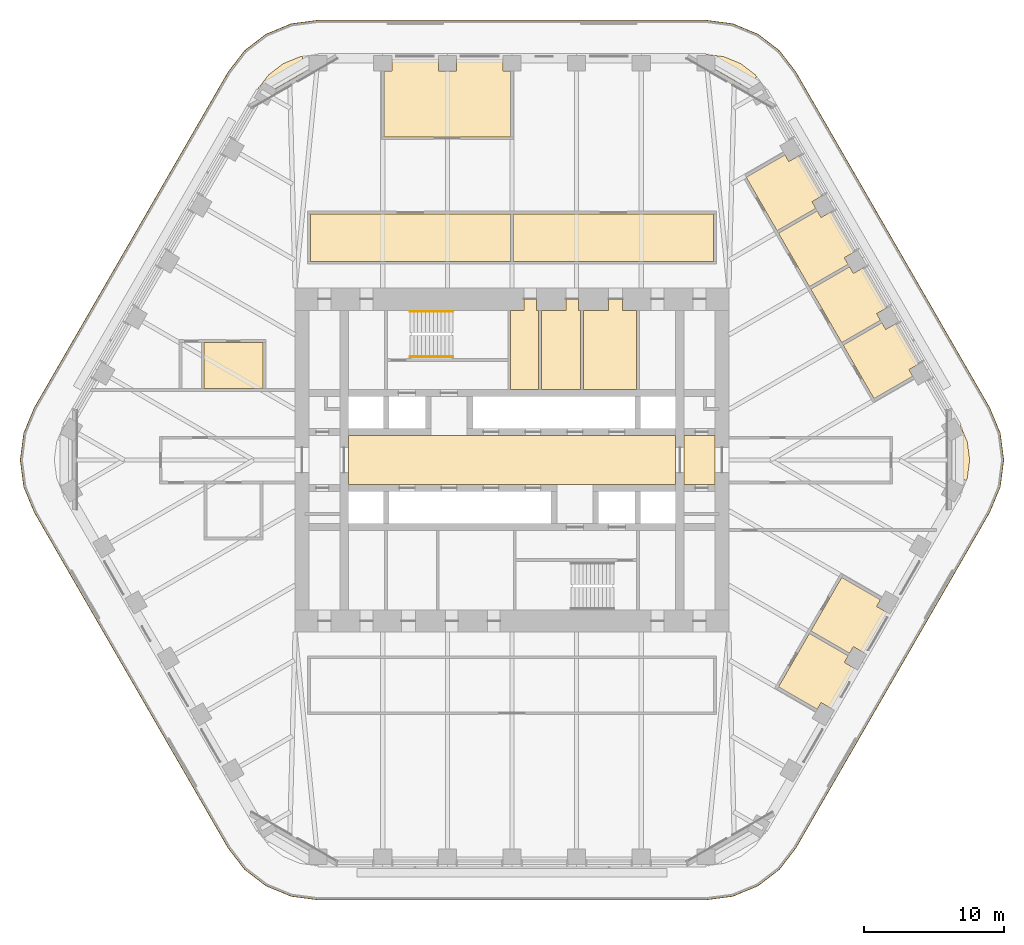
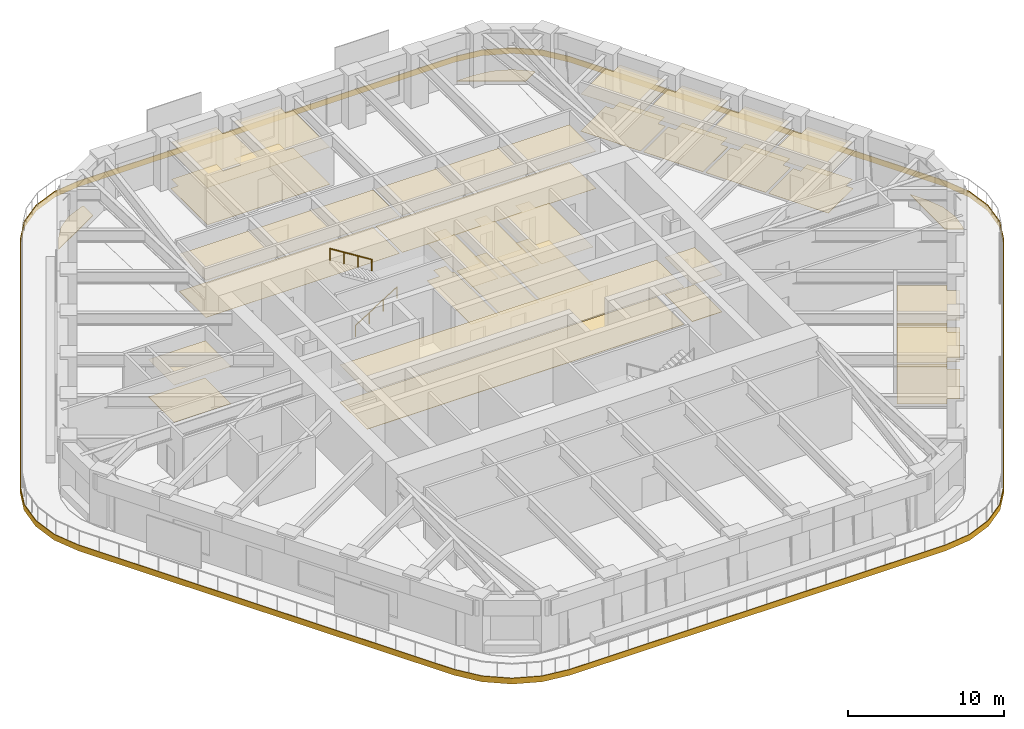
# One storey, part 19 of 20: 16 coverings, 2 railings.
"""IFC4 building model written with IfcOpenShell, lengths in metres."""

import ifcopenshell
import ifcopenshell.guid

model = None  # the IFC model being written
_history = None  # IfcOwnerHistory: only IFC2X3 demands one
_inside = {}  # id of a spatial element -> (the spatial element, [elements in it])
_under = {}  # id of a project, library or spatial element -> (it, [spatial elements below it])
_declared = {}  # id of a project -> (the project, [libraries it declares])
_typed = {}  # id of a type object -> (the type object, [elements of that type])
_made_of = {}  # id of a material, layer set ... -> (it, [elements and type objects made of it])


def new_model(schema):
    """Start an empty IFC model of exactly this schema.

    Asked for "IFC4X3", IfcOpenShell would pick the latest addendum, in which some entities
    have other attributes; the version numbers below select the first issue.
    IFC2X3 requires an IfcOwnerHistory on every rooted entity: one is made here for all.
    """
    global model, _history
    if schema == "IFC4X3":
        model = ifcopenshell.file(schema_version=(4, 3, 0, 0))
    else:
        model = ifcopenshell.file(schema=schema)
    _inside.clear()
    _under.clear()
    _declared.clear()
    _typed.clear()
    _made_of.clear()
    _history = None
    if model.schema == "IFC2X3":
        org = make("IfcOrganization", Name="unknown")
        user = make(
            "IfcPersonAndOrganization",
            ThePerson=make("IfcPerson", FamilyName="unknown"),
            TheOrganization=org,
        )
        app = make(
            "IfcApplication",
            ApplicationDeveloper=org,
            Version="unknown",
            ApplicationFullName="unknown",
            ApplicationIdentifier="unknown",
        )
        _history = make(
            "IfcOwnerHistory",
            OwningUser=user,
            OwningApplication=app,
            ChangeAction="ADDED",
            CreationDate=0,
        )
    return model


def make(cls, **values):
    """One entity of the class cls with the attributes given. An attribute that is None is left unset."""
    return model.create_entity(
        cls, **{name: value for name, value in values.items() if value is not None}
    )


def rooted(cls, **values):
    """An entity with a GlobalId (a new one), such as an element, a storey or a relation."""
    return make(cls, GlobalId=ifcopenshell.guid.new(), OwnerHistory=_history, **values)


def si_unit(unit_type, name, prefix=None):
    """IfcSIUnit, for example si_unit("LENGTHUNIT", "METRE", prefix="MILLI")."""
    return make("IfcSIUnit", UnitType=unit_type, Prefix=prefix, Name=name)


def assignment(units):
    """IfcUnitAssignment: the units of a project."""
    return None if units is None else make("IfcUnitAssignment", Units=units)


def point(xyz):
    """IfcCartesianPoint."""
    return None if xyz is None else make("IfcCartesianPoint", Coordinates=xyz)


def direction(xyz):
    """IfcDirection."""
    return None if xyz is None else make("IfcDirection", DirectionRatios=xyz)


def frame(location, z_axis=None, x_axis=None):
    """IfcAxis2Placement3D, a coordinate frame: its origin and axes. An axis left out is left unset."""
    return make(
        "IfcAxis2Placement3D",
        Location=point(location),
        Axis=direction(z_axis),
        RefDirection=direction(x_axis),
    )


def frame_2d(location, x_axis=None):
    """IfcAxis2Placement2D, a coordinate frame in the plane: its origin and x axis."""
    return make(
        "IfcAxis2Placement2D", Location=point(location), RefDirection=direction(x_axis)
    )


def origin():
    """The frame at (0, 0, 0) with its axes left unset."""
    return frame((0.0, 0.0, 0.0))


def origin_2d():
    """The frame at (0, 0) in the plane with its x axis left unset."""
    return frame_2d((0.0, 0.0))


def place(relative_to, where):
    """IfcLocalPlacement: puts the frame where relative to a parent placement (None: the world)."""
    return make(
        "IfcLocalPlacement", PlacementRelTo=relative_to, RelativePlacement=where
    )


def context(
    kind, dimensions, precision=None, world=None, true_north=None, identifier=None
):
    """IfcGeometricRepresentationContext, for example the 3D "Model" context."""
    return make(
        "IfcGeometricRepresentationContext",
        ContextIdentifier=identifier,
        ContextType=kind,
        CoordinateSpaceDimension=dimensions,
        Precision=precision,
        WorldCoordinateSystem=world,
        TrueNorth=true_north,
    )


def subcontext(parent, identifier, kind, view, scale=None):
    """IfcGeometricRepresentationSubContext, for example "Body" below "Model"."""
    return make(
        "IfcGeometricRepresentationSubContext",
        ContextIdentifier=identifier,
        ContextType=kind,
        ParentContext=parent,
        TargetScale=scale,
        TargetView=view,
    )


def project(units=None, contexts=None):
    """IfcProject with its units and contexts."""
    return rooted(
        "IfcProject",
        Name="project",
        RepresentationContexts=contexts,
        UnitsInContext=assignment(units),
    )


def spatial(cls, under=None, at=None, **own):
    """A site, building, storey or space (cls), placed at a placement, below another one or the project."""
    s = rooted(cls, ObjectPlacement=at, **own)
    if under is not None:
        _under.setdefault(under.id(), (under, []))[1].append(s)
    return s


def polyline(points):
    """IfcPolyline through the points."""
    return make("IfcPolyline", Points=[point(p) for p in points])


def profile(cls, at=None, kind="AREA", **sizes):
    """A parametric profile (cls). Its sizes go by their IFC names, for example OverallWidth=200.0."""
    return make(cls, ProfileType=kind, Position=at, **sizes)


def circle(**sizes):
    """IfcCircleProfileDef."""
    return profile("IfcCircleProfileDef", **sizes)


def outline(outer, holes=None, kind="AREA"):
    """IfcArbitraryClosedProfileDef: a profile drawn as a closed curve; with holes, ...WithVoids."""
    if holes is None:
        return make("IfcArbitraryClosedProfileDef", ProfileType=kind, OuterCurve=outer)
    return make(
        "IfcArbitraryProfileDefWithVoids",
        ProfileType=kind,
        OuterCurve=outer,
        InnerCurves=holes,
    )


def extrude(swept, where, along, depth):
    """IfcExtrudedAreaSolid: the profile swept, set in the frame where, extruded along a direction by depth."""
    return make(
        "IfcExtrudedAreaSolid",
        SweptArea=swept,
        Position=where,
        ExtrudedDirection=direction(along),
        Depth=depth,
    )


def shape(context_of_items, identifier, shape_type, items):
    """IfcShapeRepresentation: the items that make up one representation, for example the "Body"."""
    return make(
        "IfcShapeRepresentation",
        ContextOfItems=context_of_items,
        RepresentationIdentifier=identifier,
        RepresentationType=shape_type,
        Items=items,
    )


def material(Name=None, Category=None):
    """IfcMaterial."""
    return make("IfcMaterial", Name=Name, Category=Category)


def layer(
    of_material, thickness, ventilated=None, Name=None, Category=None, Priority=None
):
    """IfcMaterialLayer: one layer of a wall or slab, of a material (None: an air gap)."""
    return make(
        "IfcMaterialLayer",
        Material=of_material,
        LayerThickness=thickness,
        IsVentilated=ventilated,
        Name=Name,
        Category=Category,
        Priority=Priority,
    )


def layer_set(layers, Name=None):
    """IfcMaterialLayerSet."""
    return make("IfcMaterialLayerSet", MaterialLayers=layers, LayerSetName=Name)


def made_of(thing, what):
    """Note that an element or type object is made of a material, layer set ...; save() writes the relation."""
    if what is not None:
        _made_of.setdefault(what.id(), (what, []))[1].append(thing)
    return thing


def type_object(cls, material=None, **own):
    """A type object (cls), such as IfcWallType, which elements share."""
    return made_of(rooted(cls, **own), material)


def element(
    cls,
    number,
    at=None,
    inside=None,
    cuts=None,
    type_object=None,
    material=None,
    context=None,
    identifier="Body",
    shape_type=None,
    held_by="IfcProductDefinitionShape",
    body=None,
    shapes=None,
    **own,
):
    """One element of the class cls, such as IfcWall. Its Tag is "e" and its number.

    at: its placement. inside: the storey or other place that contains it. cuts: it is an
    opening in that element (IfcRelVoidsElement). A single representation is given by context,
    identifier, shape_type and body (its items); several are given by shapes. held_by: the class
    of the entity that holds the representations. save() writes the other relations.
    """
    e = rooted(cls, Tag="e%d" % number, ObjectPlacement=at, **own)
    if body is not None:
        shapes = [shape(context, identifier, shape_type, body)]
    if shapes is not None:
        e.Representation = make(held_by, Representations=shapes)
    if inside is not None:
        _inside.setdefault(inside.id(), (inside, []))[1].append(e)
    if cuts is not None:
        rooted(
            "IfcRelVoidsElement", RelatingBuildingElement=cuts, RelatedOpeningElement=e
        )
    if type_object is not None:
        _typed.setdefault(type_object.id(), (type_object, []))[1].append(e)
    return made_of(e, material)


def aggregate(whole, parts):
    """IfcRelAggregates: a whole, such as a stair, and the parts it consists of."""
    return rooted("IfcRelAggregates", RelatingObject=whole, RelatedObjects=parts)


def save(model, path):
    """Write the relations noted so far, then the file.

    IfcRelAggregates (storeys below a building ...), IfcRelContainedInSpatialStructure (elements
    in a storey), IfcRelDefinesByType, IfcRelAssociatesMaterial and IfcRelDeclares: one each for
    every whole, place, type object, material and project.
    """
    for whole, parts in _under.values():
        aggregate(whole, parts)
    for where, things in _inside.values():
        rooted(
            "IfcRelContainedInSpatialStructure",
            RelatedElements=things,
            RelatingStructure=where,
        )
    for kind, things in _typed.values():
        rooted("IfcRelDefinesByType", RelatedObjects=things, RelatingType=kind)
    for what, things in _made_of.values():
        rooted("IfcRelAssociatesMaterial", RelatedObjects=things, RelatingMaterial=what)
    for by, libraries in _declared.values():
        rooted("IfcRelDeclares", RelatingContext=by, RelatedDefinitions=libraries)
    model.write(path)


model = new_model("IFC4")

# Units and contexts
model_context = context("Model", 3, precision=1e-05, world=origin(), true_north=direction((0.0, 1.0)))
body_context = subcontext(model_context, "Body", "Model", "MODEL_VIEW")
ifc_project = project(units=[si_unit("LENGTHUNIT", "METRE"), si_unit("AREAUNIT", "SQUARE_METRE"), si_unit("VOLUMEUNIT", "CUBIC_METRE"), si_unit("PLANEANGLEUNIT", "RADIAN"), si_unit("MASSUNIT", "GRAM", prefix="KILO")], contexts=[model_context])

# Site, building, storey
site_placement = place(None, origin())
site = spatial("IfcSite", under=ifc_project, at=site_placement, CompositionType="ELEMENT")
building_placement = place(site_placement, origin())
building = spatial("IfcBuilding", under=site, at=building_placement, Name="Tarfa Lantern Tower", CompositionType="ELEMENT")
storey_placement = place(building_placement, frame((0.0, 0.0, 236.5)))
storey = spatial("IfcBuildingStorey", under=building, at=storey_placement, Name="L53", CompositionType="ELEMENT", Elevation=236.5)

# Coverings
ifc_material_1 = material(Name="Mineral fibre acoustic tile on suspension grid", Category="finish")
ifc_layer_1 = layer(ifc_material_1, 0.02001953125)
ifc_layer_set_1 = layer_set([ifc_layer_1], Name="CL1 ACOUSTIC TILE CEILING 20")
covering_type_1 = type_object("IfcCoveringType", Name="CL1 ACOUSTIC TILE CEILING 20", PredefinedType="CEILING", material=ifc_layer_set_1)
covering_1_placement = place(storey_placement, frame((0.0, 0.0, 2.89990234375)))
element("IfcCovering", 1, at=covering_1_placement, inside=storey, type_object=covering_type_1, Name="Ceiling L53 CL1", PredefinedType="CEILING", context=body_context, shape_type="SweptSolid", body=[
    extrude(outline(polyline([(-14.39990234375, 17.60009765625), (-0.10009765625, 17.60009765625), (-0.10009765625, 14.199951171875), (-14.39990234375, 14.199951171875), (-14.39990234375, 17.60009765625)])), origin(), (0.0, 0.0, 1.0), 0.02001953125),
    extrude(outline(polyline([(0.10009765625, 17.60009765625), (14.39990234375, 17.60009765625), (14.39990234375, 14.199951171875), (0.10009765625, 14.199951171875), (0.10009765625, 17.60009765625)])), origin(), (0.0, 0.0, 1.0), 0.02001953125),
    extrude(outline(polyline([(-0.10009765625, 23.10009765625), (-9.1376953125, 23.10009765625), (-9.1376953125, 27.800048828125), (-8.587646484375, 27.800048828125), (-8.587646484375, 28.64990234375), (-5.268798828125, 28.64990234375), (-5.268798828125, 27.800048828125), (-3.96875, 27.800048828125), (-3.96875, 28.64990234375), (-0.64990234375, 28.64990234375), (-0.64990234375, 27.800048828125), (-0.10009765625, 27.800048828125), (-0.10009765625, 23.10009765625)])), origin(), (0.0, 0.0, 1.0), 0.02001953125),
    extrude(outline(polyline([(23.66357421875, 8.21337890625), (26.434814453125, 9.8134765625), (26.7099609375, 9.337158203125), (27.446044921875, 9.761962890625), (29.10546875, 6.887939453125), (28.369384765625, 6.462890625), (28.644287109375, 5.986572265625), (25.873046875, 4.38671875), (23.66357421875, 8.21337890625)])), origin(), (0.0, 0.0, 1.0), 0.02001953125),
    extrude(outline(polyline([(21.354248046875, 12.21337890625), (24.12548828125, 13.8134765625), (24.400390625, 13.337158203125), (25.13671875, 13.761962890625), (26.796142578125, 10.887939453125), (26.059814453125, 10.462890625), (26.3349609375, 9.986572265625), (23.563720703125, 8.38671875), (21.354248046875, 12.21337890625)])), origin(), (0.0, 0.0, 1.0), 0.02001953125),
    extrude(outline(polyline([(19.044921875, 16.21337890625), (21.816162109375, 17.8134765625), (22.091064453125, 17.337158203125), (22.8271484375, 17.761962890625), (24.486572265625, 14.887939453125), (23.75048828125, 14.462890625), (24.025390625, 13.986572265625), (21.254150390625, 12.38671875), (19.044921875, 16.21337890625)])), origin(), (0.0, 0.0, 1.0), 0.02001953125),
    extrude(outline(polyline([(16.7353515625, 20.21337890625), (19.506591796875, 21.8134765625), (19.78173828125, 21.337158203125), (20.517822265625, 21.761962890625), (22.17724609375, 18.887939453125), (21.441162109375, 18.462890625), (21.716064453125, 17.986572265625), (18.94482421875, 16.38671875), (16.7353515625, 20.21337890625)])), origin(), (0.0, 0.0, 1.0), 0.02001953125),
    extrude(outline(polyline([(21.254150390625, -12.38671875), (24.025390625, -13.986572265625), (23.75048828125, -14.462890625), (24.486572265625, -14.887939453125), (22.8271484375, -17.761962890625), (22.091064453125, -17.337158203125), (21.816162109375, -17.8134765625), (19.044921875, -16.21337890625), (21.254150390625, -12.38671875)])), origin(), (0.0, 0.0, 1.0), 0.02001953125),
    extrude(outline(polyline([(23.563720703125, -8.38671875), (26.3349609375, -9.986572265625), (26.059814453125, -10.462890625), (26.796142578125, -10.887939453125), (25.13671875, -13.761962890625), (24.400390625, -13.337158203125), (24.12548828125, -13.8134765625), (21.354248046875, -12.21337890625), (23.563720703125, -8.38671875)])), origin(), (0.0, 0.0, 1.0), 0.02001953125),
    extrude(outline(polyline([(-21.995849609375, 8.39990234375), (-17.7958984375, 8.39990234375), (-17.7958984375, 5.10009765625), (-21.995849609375, 5.10009765625), (-21.995849609375, 8.39990234375)])), origin(), (0.0, 0.0, 1.0), 0.02001953125),
])
ifc_material_2 = material(Name="Moisture-resistant plasterboard", Category="finish")
ifc_layer_2 = layer(ifc_material_2, 0.014892578125)
ifc_layer_set_2 = layer_set([ifc_layer_2], Name="CL2 MOISTURE-RESISTANT PLASTERBOARD CEILING 15")
covering_type_2 = type_object("IfcCoveringType", Name="CL2 MOISTURE-RESISTANT PLASTERBOARD CEILING 15", PredefinedType="CEILING", material=ifc_layer_set_2)
covering_2_placement = place(storey_placement, frame((0.0, 0.0, 2.89990234375)))
element("IfcCovering", 2, at=covering_2_placement, inside=storey, type_object=covering_type_2, Name="Ceiling L53-07", PredefinedType="CEILING", context=body_context, shape_type="SweptSolid", body=[
    extrude(outline(polyline([(0.85009765625, 10.699951171875), (-0.10009765625, 10.699951171875), (-0.10009765625, 5.050048828125), (1.89990234375, 5.050048828125), (1.89990234375, 10.699951171875), (1.75, 10.699951171875), (1.75, 11.5), (1.75, 11.5), (0.85009765625, 11.5), (0.85009765625, 10.699951171875)])), origin(), (0.0, 0.0, 1.0), 0.01513671875),
])
covering_3_placement = place(storey_placement, frame((0.0, 0.0, 2.89990234375)))
element("IfcCovering", 3, at=covering_3_placement, inside=storey, type_object=covering_type_2, Name="Ceiling L53-08", PredefinedType="CEILING", context=body_context, shape_type="SweptSolid", body=[
    extrude(outline(polyline([(2.10009765625, 5.050048828125), (4.89990234375, 5.050048828125), (4.89990234375, 10.699951171875), (4.75, 10.699951171875), (4.75, 11.5), (3.85009765625, 11.5), (3.85009765625, 10.699951171875), (2.10009765625, 10.699951171875), (2.10009765625, 5.050048828125)])), origin(), (0.0, 0.0, 1.0), 0.01513671875),
])
covering_4_placement = place(storey_placement, frame((0.0, 0.0, 2.89990234375)))
element("IfcCovering", 4, at=covering_4_placement, inside=storey, type_object=covering_type_2, Name="Ceiling L53-09", PredefinedType="CEILING", context=body_context, shape_type="SweptSolid", body=[
    extrude(outline(polyline([(5.10009765625, 5.050048828125), (8.89990234375, 5.050048828125), (8.89990234375, 10.699951171875), (7.89990234375, 10.699951171875), (7.89990234375, 11.5), (6.89990234375, 11.5), (6.89990234375, 10.699951171875), (5.10009765625, 10.699951171875), (5.10009765625, 5.050048828125)])), origin(), (0.0, 0.0, 1.0), 0.01513671875),
])
ifc_material_3 = material(Name="Powder-coated aluminium panel", Category="aluminium")
ifc_layer_3 = layer(ifc_material_3, 0.030029296875)
ifc_layer_set_3 = layer_set([ifc_layer_3], Name="CL3 METAL PANEL CEILING 30")
covering_type_3 = type_object("IfcCoveringType", Name="CL3 METAL PANEL CEILING 30", PredefinedType="CEILING", material=ifc_layer_set_3)
covering_5_placement = place(storey_placement, frame((0.0, 0.0, 2.89990234375)))
element("IfcCovering", 5, at=covering_5_placement, inside=storey, type_object=covering_type_3, Name="Ceiling L53-02", PredefinedType="CEILING", context=body_context, shape_type="SweptSolid", body=[
    extrude(outline(polyline([(-11.699951171875, -1.75), (11.699951171875, -1.75), (11.699951171875, 1.75), (-11.699951171875, 1.75), (-11.699951171875, -1.75)])), origin(), (0.0, 0.0, 1.0), 0.030029296875),
])
covering_6_placement = place(storey_placement, frame((0.0, 0.0, 2.89990234375)))
element("IfcCovering", 6, at=covering_6_placement, inside=storey, type_object=covering_type_3, Name="Ceiling L53-03", PredefinedType="CEILING", context=body_context, shape_type="SweptSolid", body=[
    extrude(outline(polyline([(12.300048828125, -1.75), (14.5, -1.75), (14.5, 1.75), (12.300048828125, 1.75), (12.300048828125, -1.75)])), origin(), (0.0, 0.0, 1.0), 0.030029296875),
])
ifc_material_4 = material(Name="Nylon carpet tile", Category="finish")
ifc_layer_4 = layer(ifc_material_4, 0.010009765625)
ifc_layer_set_4 = layer_set([ifc_layer_4], Name="FL1 CARPET TILE 10")
covering_type_4 = type_object("IfcCoveringType", Name="FL1 CARPET TILE 10", PredefinedType="FLOORING", material=ifc_layer_set_4)
covering_7_placement = place(storey_placement, origin())
element("IfcCovering", 7, at=covering_7_placement, inside=storey, type_object=covering_type_4, Name="Floor finish L53 FL1", PredefinedType="FLOORING", context=body_context, shape_type="SweptSolid", body=[
    extrude(outline(polyline([(-14.39990234375, 17.60009765625), (-0.10009765625, 17.60009765625), (-0.10009765625, 14.199951171875), (-14.39990234375, 14.199951171875), (-14.39990234375, 17.60009765625)])), origin(), (0.0, 0.0, 1.0), 0.010009765625),
    extrude(outline(polyline([(0.10009765625, 17.60009765625), (14.39990234375, 17.60009765625), (14.39990234375, 14.199951171875), (0.10009765625, 14.199951171875), (0.10009765625, 17.60009765625)])), origin(), (0.0, 0.0, 1.0), 0.010009765625),
    extrude(outline(polyline([(-0.10009765625, 23.10009765625), (-9.1376953125, 23.10009765625), (-9.1376953125, 27.800048828125), (-8.587646484375, 27.800048828125), (-8.587646484375, 28.64990234375), (-5.268798828125, 28.64990234375), (-5.268798828125, 27.800048828125), (-3.96875, 27.800048828125), (-3.96875, 28.64990234375), (-0.64990234375, 28.64990234375), (-0.64990234375, 27.800048828125), (-0.10009765625, 27.800048828125), (-0.10009765625, 23.10009765625)])), origin(), (0.0, 0.0, 1.0), 0.010009765625),
    extrude(outline(polyline([(23.66357421875, 8.21337890625), (26.434814453125, 9.8134765625), (26.7099609375, 9.337158203125), (27.446044921875, 9.761962890625), (29.10546875, 6.887939453125), (28.369384765625, 6.462890625), (28.644287109375, 5.986572265625), (25.873046875, 4.38671875), (23.66357421875, 8.21337890625)])), origin(), (0.0, 0.0, 1.0), 0.010009765625),
    extrude(outline(polyline([(21.354248046875, 12.21337890625), (24.12548828125, 13.8134765625), (24.400390625, 13.337158203125), (25.13671875, 13.761962890625), (26.796142578125, 10.887939453125), (26.059814453125, 10.462890625), (26.3349609375, 9.986572265625), (23.563720703125, 8.38671875), (21.354248046875, 12.21337890625)])), origin(), (0.0, 0.0, 1.0), 0.010009765625),
    extrude(outline(polyline([(19.044921875, 16.21337890625), (21.816162109375, 17.8134765625), (22.091064453125, 17.337158203125), (22.8271484375, 17.761962890625), (24.486572265625, 14.887939453125), (23.75048828125, 14.462890625), (24.025390625, 13.986572265625), (21.254150390625, 12.38671875), (19.044921875, 16.21337890625)])), origin(), (0.0, 0.0, 1.0), 0.010009765625),
    extrude(outline(polyline([(16.7353515625, 20.21337890625), (19.506591796875, 21.8134765625), (19.78173828125, 21.337158203125), (20.517822265625, 21.761962890625), (22.17724609375, 18.887939453125), (21.441162109375, 18.462890625), (21.716064453125, 17.986572265625), (18.94482421875, 16.38671875), (16.7353515625, 20.21337890625)])), origin(), (0.0, 0.0, 1.0), 0.010009765625),
    extrude(outline(polyline([(21.254150390625, -12.38671875), (24.025390625, -13.986572265625), (23.75048828125, -14.462890625), (24.486572265625, -14.887939453125), (22.8271484375, -17.761962890625), (22.091064453125, -17.337158203125), (21.816162109375, -17.8134765625), (19.044921875, -16.21337890625), (21.254150390625, -12.38671875)])), origin(), (0.0, 0.0, 1.0), 0.010009765625),
    extrude(outline(polyline([(23.563720703125, -8.38671875), (26.3349609375, -9.986572265625), (26.059814453125, -10.462890625), (26.796142578125, -10.887939453125), (25.13671875, -13.761962890625), (24.400390625, -13.337158203125), (24.12548828125, -13.8134765625), (21.354248046875, -12.21337890625), (23.563720703125, -8.38671875)])), origin(), (0.0, 0.0, 1.0), 0.010009765625),
    extrude(outline(polyline([(-21.995849609375, 8.39990234375), (-17.7958984375, 8.39990234375), (-17.7958984375, 5.10009765625), (-21.995849609375, 5.10009765625), (-21.995849609375, 8.39990234375)])), origin(), (0.0, 0.0, 1.0), 0.010009765625),
])
ifc_material_5 = material(Name="Honed limestone flooring", Category="masonry")
ifc_layer_5 = layer(ifc_material_5, 0.030029296875)
ifc_layer_set_5 = layer_set([ifc_layer_5], Name="FL2 STONE FLOORING 30")
covering_type_5 = type_object("IfcCoveringType", Name="FL2 STONE FLOORING 30", PredefinedType="FLOORING", material=ifc_layer_set_5)
covering_8_placement = place(storey_placement, origin())
element("IfcCovering", 8, at=covering_8_placement, inside=storey, type_object=covering_type_5, Name="Floor finish L53-02", PredefinedType="FLOORING", context=body_context, shape_type="SweptSolid", body=[
    extrude(outline(polyline([(-11.699951171875, -1.75), (11.699951171875, -1.75), (11.699951171875, 1.75), (-11.699951171875, 1.75), (-11.699951171875, -1.75)])), origin(), (0.0, 0.0, 1.0), 0.030029296875),
])
covering_9_placement = place(storey_placement, origin())
element("IfcCovering", 9, at=covering_9_placement, inside=storey, type_object=covering_type_5, Name="Floor finish L53-03", PredefinedType="FLOORING", context=body_context, shape_type="SweptSolid", body=[
    extrude(outline(polyline([(12.300048828125, -1.75), (14.5, -1.75), (14.5, 1.75), (12.300048828125, 1.75), (12.300048828125, -1.75)])), origin(), (0.0, 0.0, 1.0), 0.030029296875),
])
ifc_material_6 = material(Name="Porcelain floor tile", Category="finish")
ifc_layer_6 = layer(ifc_material_6, 0.011962890625)
ifc_layer_set_6 = layer_set([ifc_layer_6], Name="FL3 CERAMIC TILE 12")
covering_type_6 = type_object("IfcCoveringType", Name="FL3 CERAMIC TILE 12", PredefinedType="FLOORING", material=ifc_layer_set_6)
covering_10_placement = place(storey_placement, origin())
element("IfcCovering", 10, at=covering_10_placement, inside=storey, type_object=covering_type_6, Name="Floor finish L53-07", PredefinedType="FLOORING", context=body_context, shape_type="SweptSolid", body=[
    extrude(outline(polyline([(0.85009765625, 10.699951171875), (-0.10009765625, 10.699951171875), (-0.10009765625, 5.050048828125), (1.89990234375, 5.050048828125), (1.89990234375, 10.699951171875), (1.75, 10.699951171875), (1.75, 11.5), (1.75, 11.5), (0.85009765625, 11.5), (0.85009765625, 10.699951171875)])), origin(), (0.0, 0.0, 1.0), 0.011962890625),
])
covering_11_placement = place(storey_placement, origin())
element("IfcCovering", 11, at=covering_11_placement, inside=storey, type_object=covering_type_6, Name="Floor finish L53-08", PredefinedType="FLOORING", context=body_context, shape_type="SweptSolid", body=[
    extrude(outline(polyline([(2.10009765625, 5.050048828125), (4.89990234375, 5.050048828125), (4.89990234375, 10.699951171875), (4.75, 10.699951171875), (4.75, 11.5), (3.85009765625, 11.5), (3.85009765625, 10.699951171875), (2.10009765625, 10.699951171875), (2.10009765625, 5.050048828125)])), origin(), (0.0, 0.0, 1.0), 0.011962890625),
])
covering_12_placement = place(storey_placement, origin())
element("IfcCovering", 12, at=covering_12_placement, inside=storey, type_object=covering_type_6, Name="Floor finish L53-09", PredefinedType="FLOORING", context=body_context, shape_type="SweptSolid", body=[
    extrude(outline(polyline([(5.10009765625, 5.050048828125), (8.89990234375, 5.050048828125), (8.89990234375, 10.699951171875), (7.89990234375, 10.699951171875), (7.89990234375, 11.5), (6.89990234375, 11.5), (6.89990234375, 10.699951171875), (5.10009765625, 10.699951171875), (5.10009765625, 5.050048828125)])), origin(), (0.0, 0.0, 1.0), 0.011962890625),
])

# Railings
ifc_material_7 = material(Name="Stainless steel", Category="steel")
railing_type = type_object("IfcRailingType", Name="HR1 HANDRAIL 900", PredefinedType="HANDRAIL", material=ifc_material_7)
railing_1_placement = place(storey_placement, frame((-7.300048828125, 7.3798828125, 0.175048828125)))
element("IfcRailing", 13, at=railing_1_placement, inside=storey, type_object=railing_type, Name="Handrail 1", PredefinedType="HANDRAIL", context=body_context, shape_type="SweptSolid", body=[
    extrude(circle(Radius=0.02392578125, at=origin_2d()), frame((0.0, 0.0, 0.8759765625), z_axis=(0.847998304005, 0.0, 0.529998940003), x_axis=(0.0, 1.0, 0.0)), (0.0, 0.0, 1.0), 3.632080078125),
    extrude(circle(Radius=0.02099609375, at=origin_2d()), frame((0.0, 0.0, 0.0), z_axis=(0.0, 0.0, 1.0), x_axis=(0.0, 1.0, 0.0)), (0.0, 0.0, 1.0), 0.851806640625),
    extrude(circle(Radius=0.02099609375, at=origin_2d()), frame((1.026611328125, 0.0, 0.6416015625), z_axis=(0.0, 0.0, 1.0), x_axis=(0.0, 1.0, 0.0)), (0.0, 0.0, 1.0), 0.851806640625),
    extrude(circle(Radius=0.02099609375, at=origin_2d()), frame((2.053466796875, 0.0, 1.283447265625), z_axis=(0.0, 0.0, 1.0), x_axis=(0.0, 1.0, 0.0)), (0.0, 0.0, 1.0), 0.851806640625),
    extrude(circle(Radius=0.02099609375, at=origin_2d()), frame((3.080078125, 0.0, 1.925048828125), z_axis=(0.0, 0.0, 1.0), x_axis=(0.0, 1.0, 0.0)), (0.0, 0.0, 1.0), 0.851806640625),
])
railing_2_placement = place(storey_placement, frame((-4.219970703125, 10.6201171875, 2.27490234375)))
element("IfcRailing", 14, at=railing_2_placement, inside=storey, type_object=railing_type, Name="Handrail 2", PredefinedType="HANDRAIL", context=body_context, shape_type="SweptSolid", body=[
    extrude(circle(Radius=0.02392578125, at=origin_2d()), frame((0.0, 0.0, 0.8759765625), z_axis=(-0.847998304005, 0.0, 0.529998940003), x_axis=(0.0, -1.0, 0.0)), (0.0, 0.0, 1.0), 3.632080078125),
    extrude(circle(Radius=0.02099609375, at=origin_2d()), frame((0.0, 0.0, 0.0), z_axis=(0.0, 0.0, 1.0), x_axis=(0.0, -1.0, 0.0)), (0.0, 0.0, 1.0), 0.851806640625),
    extrude(circle(Radius=0.02099609375, at=origin_2d()), frame((-1.026611328125, 0.0, 0.6416015625), z_axis=(0.0, 0.0, 1.0), x_axis=(0.0, -1.0, 0.0)), (0.0, 0.0, 1.0), 0.851806640625),
    extrude(circle(Radius=0.02099609375, at=origin_2d()), frame((-2.053466796875, 0.0, 1.283447265625), z_axis=(0.0, 0.0, 1.0), x_axis=(0.0, -1.0, 0.0)), (0.0, 0.0, 1.0), 0.851806640625),
    extrude(circle(Radius=0.02099609375, at=origin_2d()), frame((-3.080078125, 0.0, 1.925048828125), z_axis=(0.0, 0.0, 1.0), x_axis=(0.0, -1.0, 0.0)), (0.0, 0.0, 1.0), 0.851806640625),
])

# Coverings
ifc_material_8 = material(Name="Porcelain pavers on pedestals", Category="ceramic")
ifc_layer_7 = layer(ifc_material_8, 0.0400390625)
ifc_layer_set_7 = layer_set([ifc_layer_7], Name="LP1 LOGGIA PAVING 40")
covering_type_7 = type_object("IfcCoveringType", Name="LP1 LOGGIA PAVING 40", PredefinedType="FLOORING", material=ifc_layer_set_7)
covering_13_placement = place(storey_placement, origin())
element("IfcCovering", 15, at=covering_13_placement, inside=storey, type_object=covering_type_7, Name="Sky garden paving NE-N", PredefinedType="FLOORING", context=body_context, shape_type="SweptSolid", body=[
    extrude(outline(polyline([(15.150390625, 28.82958984375), (16.3564453125, 28.330078125), (17.391845703125, 27.53564453125), (17.51123046875, 27.380126953125), (16.4765625, 26.782958984375), (12.641357421875, 28.997314453125), (12.64306640625, 29.0), (13.8564453125, 29.0), (15.150390625, 28.82958984375)])), origin(), (0.0, 0.0, 1.0), 0.0400390625),
])
covering_14_placement = place(storey_placement, origin())
element("IfcCovering", 16, at=covering_14_placement, inside=storey, type_object=covering_type_7, Name="Sky garden paving N-NW", PredefinedType="FLOORING", context=body_context, shape_type="SweptSolid", body=[
    extrude(outline(polyline([(-17.391845703125, 27.53564453125), (-16.3564453125, 28.330078125), (-15.150390625, 28.82958984375), (-14.956298828125, 28.855224609375), (-14.956298828125, 27.66064453125), (-18.791748046875, 25.4462890625), (-18.793212890625, 25.44921875), (-18.1865234375, 26.5), (-17.391845703125, 27.53564453125)])), origin(), (0.0, 0.0, 1.0), 0.0400390625),
])
covering_15_placement = place(storey_placement, origin())
element("IfcCovering", 17, at=covering_15_placement, inside=storey, type_object=covering_type_7, Name="Sky garden paving SE-NE", PredefinedType="FLOORING", context=body_context, shape_type="SweptSolid", body=[
    extrude(outline(polyline([(32.54248046875, 1.294189453125), (32.712890625, 0.0), (32.54248046875, -1.294189453125), (32.467529296875, -1.474853515625), (31.43310546875, -0.877685546875), (31.43310546875, 3.55078125), (31.436279296875, 3.55078125), (32.04296875, 2.5), (32.54248046875, 1.294189453125)])), origin(), (0.0, 0.0, 1.0), 0.0400390625),
])
ifc_material_9 = material(Name="Limestone cladding on brackets", Category="masonry")
ifc_layer_8 = layer(ifc_material_9, 0.050048828125)
ifc_layer_set_8 = layer_set([ifc_layer_8], Name="SB1 STONE BAND CLADDING 50")
covering_type_8 = type_object("IfcCoveringType", Name="SB1 STONE BAND CLADDING 50", PredefinedType="CLADDING", material=ifc_layer_set_8)
covering_16_placement = place(storey_placement, frame((0.0, 0.0, -0.39990234375)))
element("IfcCovering", 18, at=covering_16_placement, inside=storey, type_object=covering_type_8, Name="Stone band", PredefinedType="CLADDING", context=body_context, shape_type="SweptSolid", body=[
    extrude(outline(polyline([(34.164794921875, 3.72509765625), (20.308349609375, 27.72509765625), (19.124267578125, 29.26806640625), (17.581298828125, 30.451904296875), (15.78466796875, 31.196044921875), (13.8564453125, 31.449951171875), (-13.8564453125, 31.449951171875), (-15.78466796875, 31.196044921875), (-17.581298828125, 30.451904296875), (-19.124267578125, 29.26806640625), (-20.308349609375, 27.72509765625), (-34.164794921875, 3.72509765625), (-34.908935546875, 1.92822265625), (-35.162841796875, 0.0), (-34.908935546875, -1.92822265625), (-34.164794921875, -3.72509765625), (-20.308349609375, -27.72509765625), (-19.124267578125, -29.26806640625), (-17.581298828125, -30.451904296875), (-15.78466796875, -31.196044921875), (-13.8564453125, -31.449951171875), (13.8564453125, -31.449951171875), (15.78466796875, -31.196044921875), (17.581298828125, -30.451904296875), (19.124267578125, -29.26806640625), (20.308349609375, -27.72509765625), (34.164794921875, -3.72509765625), (34.908935546875, -1.92822265625), (35.162841796875, 0.0), (34.908935546875, 1.92822265625), (34.164794921875, 3.72509765625)]), holes=[polyline([(34.121337890625, 3.699951171875), (20.264892578125, 27.699951171875), (19.089111328125, 29.232666015625), (17.556396484375, 30.40869140625), (15.771728515625, 31.14794921875), (13.8564453125, 31.39990234375), (-13.8564453125, 31.39990234375), (-15.771728515625, 31.14794921875), (-17.556396484375, 30.40869140625), (-19.089111328125, 29.232666015625), (-20.264892578125, 27.699951171875), (-34.121337890625, 3.699951171875), (-34.860595703125, 1.915283203125), (-35.11279296875, 0.0), (-34.860595703125, -1.915283203125), (-34.121337890625, -3.699951171875), (-20.264892578125, -27.699951171875), (-19.089111328125, -29.232666015625), (-17.556396484375, -30.40869140625), (-15.771728515625, -31.14794921875), (-13.8564453125, -31.39990234375), (13.8564453125, -31.39990234375), (15.771728515625, -31.14794921875), (17.556396484375, -30.40869140625), (19.089111328125, -29.232666015625), (20.264892578125, -27.699951171875), (34.121337890625, -3.699951171875), (34.860595703125, -1.915283203125), (35.11279296875, 0.0), (34.860595703125, 1.915283203125), (34.121337890625, 3.699951171875)])]), origin(), (0.0, 0.0, 1.0), 0.449951171875),
])

save(model, "model.ifc")
